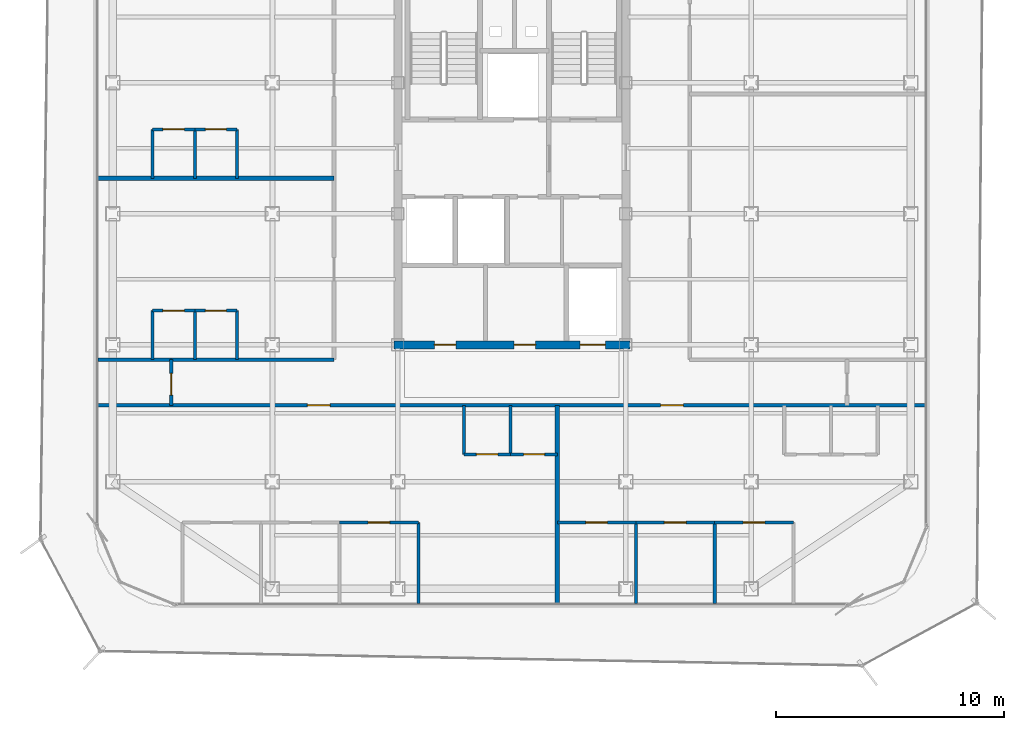
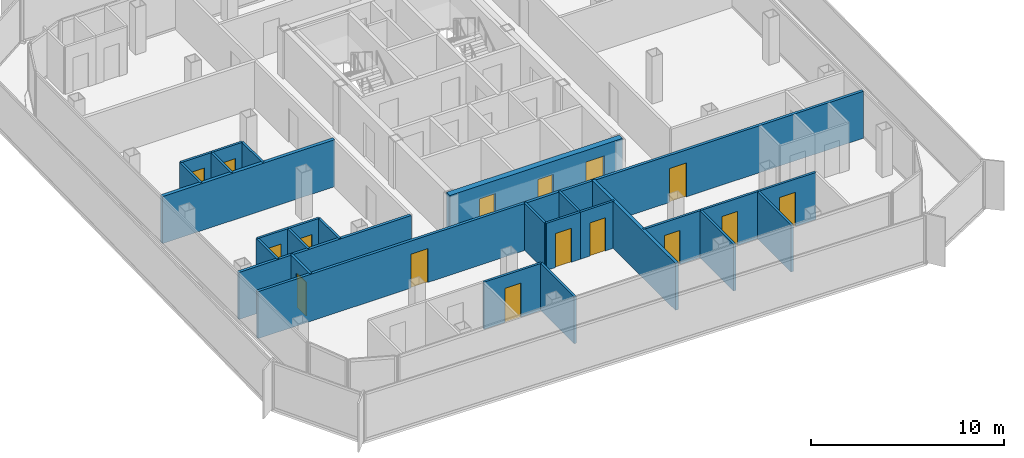
# One storey, part 10 of 15: 28 walls, 16 doors, 16 openings.
"""IFC4 building model written with IfcOpenShell, lengths in metres."""

from ifc_helpers import new_model, si_unit, direction, frame, frame_2d, origin, place, context, subcontext, project, spatial, rectangle, extrude, material, layer, layer_set, type_object, element, fill, save


model = new_model("IFC4")

# Units and contexts
model_context = context("Model", 3, precision=1e-05, world=origin(), true_north=direction((0.0, 1.0)))
body_context = subcontext(model_context, "Body", "Model", "MODEL_VIEW")
ifc_project = project(units=[si_unit("LENGTHUNIT", "METRE"), si_unit("AREAUNIT", "SQUARE_METRE"), si_unit("VOLUMEUNIT", "CUBIC_METRE"), si_unit("PLANEANGLEUNIT", "RADIAN"), si_unit("MASSUNIT", "GRAM", prefix="KILO")], contexts=[model_context])

# Site, building, storey
site_placement = place(None, origin())
site = spatial("IfcSite", under=ifc_project, at=site_placement, CompositionType="ELEMENT")
building_placement = place(site_placement, origin())
building = spatial("IfcBuilding", under=site, at=building_placement, Name="Kolveth Station Tower", CompositionType="ELEMENT")
storey_placement = place(building_placement, frame((0.0, 0.0, 261.699951171875)))
storey = spatial("IfcBuildingStorey", under=building, at=storey_placement, Name="L75", CompositionType="ELEMENT", Elevation=261.699951171875)

# Wall, openings, doors
ifc_material_1 = material(Name="Concrete C50/60", Category="concrete")
ifc_layer_1 = layer(ifc_material_1, 0.35009765625)
ifc_layer_set_1 = layer_set([ifc_layer_1], Name="Concrete C50/60")
wall_type_1 = type_object("IfcWallType", Name="Wall_CW-350", PredefinedType="SHEAR", material=ifc_layer_set_1)
wall_1_placement = place(storey_placement, frame((18.324951171875, 11.5, 0.0), z_axis=(0.0, 0.0, 1.0), x_axis=(1.0, 0.0, 0.0)))
wall_1 = element("IfcWall", 1, at=wall_1_placement, inside=storey, type_object=wall_type_1, Name="L75 Core RC Shear Wall S", PredefinedType="SHEAR", context=body_context, shape_type="SweptSolid", body=[
    extrude(rectangle(XDim=10.35009765625, YDim=0.35009765625, at=frame_2d((5.175048828125, 0.0))), origin(), (0.0, 0.0, 1.0), 2.97998046875),
])
opening_1_placement = place(wall_1_placement, frame((1.77490234375, 0.0, 0.0)))
opening_1 = element("IfcOpeningElement", 2, at=opening_1_placement, cuts=wall_1, Name="Opening ID1", PredefinedType="OPENING", context=body_context, shape_type="SweptSolid", body=[
    extrude(rectangle(XDim=0.949951171875, YDim=2.14990234375, at=frame_2d((0.47509765625, 1.074951171875))), frame((0.0, 0.18505859375, 0.0), z_axis=(0.0, -1.0, 0.0), x_axis=(1.0, 0.0, 0.0)), (0.0, 0.0, 1.0), 0.3701171875),
])
opening_2_placement = place(wall_1_placement, frame((5.27490234375, 0.0, 0.0)))
opening_2 = element("IfcOpeningElement", 3, at=opening_2_placement, cuts=wall_1, Name="Opening ID1", PredefinedType="OPENING", context=body_context, shape_type="SweptSolid", body=[
    extrude(rectangle(XDim=0.949951171875, YDim=2.14990234375, at=frame_2d((0.47509765625, 1.074951171875))), frame((0.0, 0.18505859375, 0.0), z_axis=(0.0, -1.0, 0.0), x_axis=(1.0, 0.0, 0.0)), (0.0, 0.0, 1.0), 0.3701171875),
])
opening_3_placement = place(wall_1_placement, frame((8.175048828125, 0.0, 0.0)))
opening_3 = element("IfcOpeningElement", 4, at=opening_3_placement, cuts=wall_1, Name="Opening LD1", PredefinedType="OPENING", context=body_context, shape_type="SweptSolid", body=[
    extrude(rectangle(XDim=1.10009765625, YDim=2.25, at=frame_2d((0.550048828125, 1.125))), frame((0.0, 0.18505859375, 0.0), z_axis=(0.0, -1.0, 0.0), x_axis=(1.0, 0.0, 0.0)), (0.0, 0.0, 1.0), 0.3701171875),
])
ifc_material_2 = material(Name="Acoustic hardwood leaf and aluminium frame", Category="wood")
door_type_1 = type_object("IfcDoorType", Name="Door_ID1", OperationType="NOTDEFINED", PredefinedType="DOOR", material=ifc_material_2)
door_1_placement = place(opening_1_placement, frame((0.949951171875, 0.0, 0.0), z_axis=(0.0, 0.0, 1.0), x_axis=(-1.0, 0.0, 0.0)))
door_1 = element("IfcDoor", 5, at=door_1_placement, inside=storey, type_object=door_type_1, Name="L75 Laundry Room Door", OperationType="SINGLE_SWING_RIGHT", OverallHeight=2.14990234375, OverallWidth=0.949951171875, PredefinedType="DOOR", context=body_context, shape_type="SweptSolid", body=[
    extrude(rectangle(XDim=0.949951171875, YDim=2.14990234375, at=frame_2d((0.47509765625, 1.074951171875))), frame((0.0, 0.02490234375, 0.0), z_axis=(0.0, -1.0, 0.0), x_axis=(1.0, 0.0, 0.0)), (0.0, 0.0, 1.0), 0.050048828125),
])
fill(opening_1, door_1)
door_2_placement = place(opening_2_placement, frame((0.949951171875, 0.0, 0.0), z_axis=(0.0, 0.0, 1.0), x_axis=(-1.0, 0.0, 0.0)))
door_2 = element("IfcDoor", 6, at=door_2_placement, inside=storey, type_object=door_type_1, Name="L75 Parcel Room Door", OperationType="SINGLE_SWING_LEFT", OverallHeight=2.14990234375, OverallWidth=0.949951171875, PredefinedType="DOOR", context=body_context, shape_type="SweptSolid", body=[
    extrude(rectangle(XDim=0.949951171875, YDim=2.14990234375, at=frame_2d((0.47509765625, 1.074951171875))), frame((0.0, 0.02490234375, 0.0), z_axis=(0.0, -1.0, 0.0), x_axis=(1.0, 0.0, 0.0)), (0.0, 0.0, 1.0), 0.050048828125),
])
fill(opening_2, door_2)
ifc_material_3 = material(Name="Brushed stainless steel sliding landing doors", Category="steel")
door_type_2 = type_object("IfcDoorType", Name="Door_LD1", OperationType="NOTDEFINED", PredefinedType="DOOR", material=ifc_material_3)
door_3_placement = place(opening_3_placement, frame((1.10009765625, 0.0, 0.0), z_axis=(0.0, 0.0, 1.0), x_axis=(-1.0, 0.0, 0.0)))
door_3 = element("IfcDoor", 7, at=door_3_placement, inside=storey, type_object=door_type_2, Name="L75 Lift PH1 Landing Door", OperationType="DOUBLE_DOOR_SLIDING", OverallHeight=2.25, OverallWidth=1.10009765625, PredefinedType="DOOR", context=body_context, shape_type="SweptSolid", body=[
    extrude(rectangle(XDim=1.10009765625, YDim=2.25, at=frame_2d((0.550048828125, 1.125))), frame((0.0, 0.02490234375, 0.0), z_axis=(0.0, -1.0, 0.0), x_axis=(1.0, 0.0, 0.0)), (0.0, 0.0, 1.0), 0.050048828125),
])
fill(opening_3, door_3)

# Wall, opening, door
ifc_material_4 = material(Name="Moisture-resistant gypsum partition")
ifc_layer_2 = layer(ifc_material_4, 0.135009765625)
ifc_layer_set_2 = layer_set([ifc_layer_2], Name="Moisture-resistant gypsum partition")
wall_type_2 = type_object("IfcWallType", Name="Wall_IW-135", PredefinedType="PARTITIONING", material=ifc_layer_set_2)
wall_2_placement = place(storey_placement, frame((21.39990234375, 6.699951171875, 0.0), z_axis=(0.0, 0.0, 1.0), x_axis=(1.0, 0.0, 0.0)))
wall_2 = element("IfcWall", 8, at=wall_2_placement, inside=storey, type_object=wall_type_2, Name="L75 Partition Wall WL-L75-A1-IBHK", PredefinedType="PARTITIONING", context=body_context, shape_type="SweptSolid", body=[
    extrude(rectangle(XDim=2.050048828125, YDim=0.135009765625, at=frame_2d((1.02490234375, 0.0))), origin(), (0.0, 0.0, 1.0), 2.97998046875),
])
opening_4_placement = place(wall_2_placement, frame((0.544921875, 0.0, 0.0)))
opening_4 = element("IfcOpeningElement", 9, at=opening_4_placement, cuts=wall_2, Name="Opening ID1", PredefinedType="OPENING", context=body_context, shape_type="SweptSolid", body=[
    extrude(rectangle(XDim=0.949951171875, YDim=2.14990234375, at=frame_2d((0.47509765625, 1.074951171875))), frame((0.0, 0.077392578125, 0.0), z_axis=(0.0, -1.0, 0.0), x_axis=(1.0, 0.0, 0.0)), (0.0, 0.0, 1.0), 0.155029296875),
])
door_4_placement = place(opening_4_placement, origin())
door_4 = element("IfcDoor", 10, at=door_4_placement, inside=storey, type_object=door_type_1, Name="Penthouse Flat L75-A1 Kitchen Door", OperationType="SINGLE_SWING_RIGHT", OverallHeight=2.14990234375, OverallWidth=0.949951171875, PredefinedType="DOOR", context=body_context, shape_type="SweptSolid", body=[
    extrude(rectangle(XDim=0.949951171875, YDim=2.14990234375, at=frame_2d((0.47509765625, 1.074951171875))), frame((0.0, 0.02490234375, 0.0), z_axis=(0.0, -1.0, 0.0), x_axis=(1.0, 0.0, 0.0)), (0.0, 0.0, 1.0), 0.050048828125),
])
fill(opening_4, door_4)

wall_3_placement = place(storey_placement, frame((23.449951171875, 6.699951171875, 0.0), z_axis=(0.0, 0.0, 1.0), x_axis=(1.0, 0.0, 0.0)))
wall_3 = element("IfcWall", 11, at=wall_3_placement, inside=storey, type_object=wall_type_2, Name="L75 Partition Wall WL-L75-A1-IBHB", PredefinedType="PARTITIONING", context=body_context, shape_type="SweptSolid", body=[
    extrude(rectangle(XDim=2.050048828125, YDim=0.135009765625, at=frame_2d((1.02490234375, 0.0))), origin(), (0.0, 0.0, 1.0), 2.97998046875),
])
opening_5_placement = place(wall_3_placement, frame((0.56494140625, 0.0, 0.0)))
opening_5 = element("IfcOpeningElement", 12, at=opening_5_placement, cuts=wall_3, Name="Opening ID2", PredefinedType="OPENING", context=body_context, shape_type="SweptSolid", body=[
    extrude(rectangle(XDim=0.919921875, YDim=2.10009765625, at=frame_2d((0.4599609375, 1.050048828125))), frame((0.0, 0.077392578125, 0.0), z_axis=(0.0, -1.0, 0.0), x_axis=(1.0, 0.0, 0.0)), (0.0, 0.0, 1.0), 0.155029296875),
])
ifc_material_5 = material(Name="Moisture-resistant hardwood leaf", Category="wood")
door_type_3 = type_object("IfcDoorType", Name="Door_ID2", OperationType="NOTDEFINED", PredefinedType="DOOR", material=ifc_material_5)
door_5_placement = place(opening_5_placement, origin())
door_5 = element("IfcDoor", 13, at=door_5_placement, inside=storey, type_object=door_type_3, Name="Penthouse Flat L75-A1 Bathroom Door", OperationType="SINGLE_SWING_LEFT", OverallHeight=2.10009765625, OverallWidth=0.919921875, PredefinedType="DOOR", context=body_context, shape_type="SweptSolid", body=[
    extrude(rectangle(XDim=0.919921875, YDim=2.10009765625, at=frame_2d((0.4599609375, 1.050048828125))), frame((0.0, 0.02490234375, 0.0), z_axis=(0.0, -1.0, 0.0), x_axis=(1.0, 0.0, 0.0)), (0.0, 0.0, 1.0), 0.050048828125),
])
fill(opening_5, door_5)

# Walls
for number, where, z_axis, x_axis, name in (
    (14, (21.39990234375, 6.699951171875, 0.0), (0.0, 0.0, 1.0), (0.0, 1.0, 0.0), "L75 Partition Wall WL-L75-A1-IBV0"),
    (15, (23.449951171875, 6.699951171875, 0.0), (0.0, 0.0, 1.0), (0.0, 1.0, 0.0), "L75 Partition Wall WL-L75-A1-IBV1"),
):
    element("IfcWall", number, at=place(storey_placement, frame(where, z_axis=z_axis, x_axis=x_axis)), inside=storey, type_object=wall_type_2, Name=name, PredefinedType="PARTITIONING", context=body_context, shape_type="SweptSolid", body=[
        extrude(rectangle(XDim=2.150146484375, YDim=0.135009765625, at=frame_2d((1.0751953125, 0.0))), origin(), (0.0, 0.0, 1.0), 2.97998046875),
    ])
wall_4_placement = place(storey_placement, frame((19.39990234375, 0.159912109375, 0.0), z_axis=(0.0, 0.0, 1.0), x_axis=(0.0, 1.0, 0.0)))
element("IfcWall", 16, at=wall_4_placement, inside=storey, type_object=wall_type_2, Name="L75 Partition Wall WL-L75-A1-BDVE", PredefinedType="PARTITIONING", context=body_context, shape_type="SweptSolid", body=[
    extrude(rectangle(XDim=3.550048828125, YDim=0.135009765625, at=frame_2d((1.77490234375, 0.0))), origin(), (0.0, 0.0, 1.0), 2.97998046875),
])

# Wall, opening, door
wall_5_placement = place(storey_placement, frame((15.949951171875, 3.7099609375, 0.0), z_axis=(0.0, 0.0, 1.0), x_axis=(1.0, 0.0, 0.0)))
wall_5 = element("IfcWall", 17, at=wall_5_placement, inside=storey, type_object=wall_type_2, Name="L75 Partition Wall WL-L75-A1-BDH3", PredefinedType="PARTITIONING", context=body_context, shape_type="SweptSolid", body=[
    extrude(rectangle(XDim=3.449951171875, YDim=0.135009765625, at=frame_2d((1.72509765625, 0.0))), origin(), (0.0, 0.0, 1.0), 2.97998046875),
])
opening_6_placement = place(wall_5_placement, frame((1.2451171875, 0.0, 0.0)))
opening_6 = element("IfcOpeningElement", 18, at=opening_6_placement, cuts=wall_5, Name="Opening ID1", PredefinedType="OPENING", context=body_context, shape_type="SweptSolid", body=[
    extrude(rectangle(XDim=0.949951171875, YDim=2.14990234375, at=frame_2d((0.47509765625, 1.074951171875))), frame((0.0, 0.077392578125, 0.0), z_axis=(0.0, -1.0, 0.0), x_axis=(1.0, 0.0, 0.0)), (0.0, 0.0, 1.0), 0.155029296875),
])
door_6_placement = place(opening_6_placement, frame((0.949951171875, 0.0, 0.0), z_axis=(0.0, 0.0, 1.0), x_axis=(-1.0, 0.0, 0.0)))
door_6 = element("IfcDoor", 19, at=door_6_placement, inside=storey, type_object=door_type_1, Name="Penthouse Flat L75-A1 Bedroom 3 Door", OperationType="SINGLE_SWING_LEFT", OverallHeight=2.14990234375, OverallWidth=0.949951171875, PredefinedType="DOOR", context=body_context, shape_type="SweptSolid", body=[
    extrude(rectangle(XDim=0.949951171875, YDim=2.14990234375, at=frame_2d((0.47509765625, 1.074951171875))), frame((0.0, 0.02490234375, 0.0), z_axis=(0.0, -1.0, 0.0), x_axis=(1.0, 0.0, 0.0)), (0.0, 0.0, 1.0), 0.050048828125),
])
fill(opening_6, door_6)

wall_6_placement = place(storey_placement, frame((25.5, 3.7099609375, 0.0), z_axis=(0.0, 0.0, 1.0), x_axis=(1.0, 0.0, 0.0)))
wall_6 = element("IfcWall", 20, at=wall_6_placement, inside=storey, type_object=wall_type_2, Name="L75 Partition Wall WL-L75-A2-BDH1", PredefinedType="PARTITIONING", context=body_context, shape_type="SweptSolid", body=[
    extrude(rectangle(XDim=3.449951171875, YDim=0.135009765625, at=frame_2d((1.72509765625, 0.0))), origin(), (0.0, 0.0, 1.0), 2.97998046875),
])
opening_7_placement = place(wall_6_placement, frame((1.2451171875, 0.0, 0.0)))
opening_7 = element("IfcOpeningElement", 21, at=opening_7_placement, cuts=wall_6, Name="Opening ID1", PredefinedType="OPENING", context=body_context, shape_type="SweptSolid", body=[
    extrude(rectangle(XDim=0.949951171875, YDim=2.14990234375, at=frame_2d((0.47509765625, 1.074951171875))), frame((0.0, 0.077392578125, 0.0), z_axis=(0.0, -1.0, 0.0), x_axis=(1.0, 0.0, 0.0)), (0.0, 0.0, 1.0), 0.155029296875),
])
door_7_placement = place(opening_7_placement, frame((0.949951171875, 0.0, 0.0), z_axis=(0.0, 0.0, 1.0), x_axis=(-1.0, 0.0, 0.0)))
door_7 = element("IfcDoor", 22, at=door_7_placement, inside=storey, type_object=door_type_1, Name="Penthouse Flat L75-A2 Bedroom 1 Door", OperationType="SINGLE_SWING_RIGHT", OverallHeight=2.14990234375, OverallWidth=0.949951171875, PredefinedType="DOOR", context=body_context, shape_type="SweptSolid", body=[
    extrude(rectangle(XDim=0.949951171875, YDim=2.14990234375, at=frame_2d((0.47509765625, 1.074951171875))), frame((0.0, 0.02490234375, 0.0), z_axis=(0.0, -1.0, 0.0), x_axis=(1.0, 0.0, 0.0)), (0.0, 0.0, 1.0), 0.050048828125),
])
fill(opening_7, door_7)

wall_7_placement = place(storey_placement, frame((28.949951171875, 3.7099609375, 0.0), z_axis=(0.0, 0.0, 1.0), x_axis=(1.0, 0.0, 0.0)))
wall_7 = element("IfcWall", 23, at=wall_7_placement, inside=storey, type_object=wall_type_2, Name="L75 Partition Wall WL-L75-A2-BDH2", PredefinedType="PARTITIONING", context=body_context, shape_type="SweptSolid", body=[
    extrude(rectangle(XDim=3.449951171875, YDim=0.135009765625, at=frame_2d((1.72509765625, 0.0))), origin(), (0.0, 0.0, 1.0), 2.97998046875),
])
opening_8_placement = place(wall_7_placement, frame((1.2451171875, 0.0, 0.0)))
opening_8 = element("IfcOpeningElement", 24, at=opening_8_placement, cuts=wall_7, Name="Opening ID1", PredefinedType="OPENING", context=body_context, shape_type="SweptSolid", body=[
    extrude(rectangle(XDim=0.949951171875, YDim=2.14990234375, at=frame_2d((0.47509765625, 1.074951171875))), frame((0.0, 0.077392578125, 0.0), z_axis=(0.0, -1.0, 0.0), x_axis=(1.0, 0.0, 0.0)), (0.0, 0.0, 1.0), 0.155029296875),
])
door_8_placement = place(opening_8_placement, frame((0.949951171875, 0.0, 0.0), z_axis=(0.0, 0.0, 1.0), x_axis=(-1.0, 0.0, 0.0)))
door_8 = element("IfcDoor", 25, at=door_8_placement, inside=storey, type_object=door_type_1, Name="Penthouse Flat L75-A2 Bedroom 2 Door", OperationType="SINGLE_SWING_LEFT", OverallHeight=2.14990234375, OverallWidth=0.949951171875, PredefinedType="DOOR", context=body_context, shape_type="SweptSolid", body=[
    extrude(rectangle(XDim=0.949951171875, YDim=2.14990234375, at=frame_2d((0.47509765625, 1.074951171875))), frame((0.0, 0.02490234375, 0.0), z_axis=(0.0, -1.0, 0.0), x_axis=(1.0, 0.0, 0.0)), (0.0, 0.0, 1.0), 0.050048828125),
])
fill(opening_8, door_8)

# Wall
wall_8_placement = place(storey_placement, frame((28.949951171875, 0.159912109375, 0.0), z_axis=(0.0, 0.0, 1.0), x_axis=(0.0, 1.0, 0.0)))
element("IfcWall", 26, at=wall_8_placement, inside=storey, type_object=wall_type_2, Name="L75 Partition Wall WL-L75-A2-BDV1", PredefinedType="PARTITIONING", context=body_context, shape_type="SweptSolid", body=[
    extrude(rectangle(XDim=3.550048828125, YDim=0.135009765625, at=frame_2d((1.77490234375, 0.0))), origin(), (0.0, 0.0, 1.0), 2.97998046875),
])

# Wall, opening, door
wall_9_placement = place(storey_placement, frame((32.39990234375, 3.7099609375, 0.0), z_axis=(0.0, 0.0, 1.0), x_axis=(1.0, 0.0, 0.0)))
wall_9 = element("IfcWall", 27, at=wall_9_placement, inside=storey, type_object=wall_type_2, Name="L75 Partition Wall WL-L75-A2-BDH3", PredefinedType="PARTITIONING", context=body_context, shape_type="SweptSolid", body=[
    extrude(rectangle(XDim=3.4501953125, YDim=0.135009765625, at=frame_2d((1.72509765625, 0.0))), origin(), (0.0, 0.0, 1.0), 2.97998046875),
])
opening_9_placement = place(wall_9_placement, frame((1.2451171875, 0.0, 0.0)))
opening_9 = element("IfcOpeningElement", 28, at=opening_9_placement, cuts=wall_9, Name="Opening ID1", PredefinedType="OPENING", context=body_context, shape_type="SweptSolid", body=[
    extrude(rectangle(XDim=0.949951171875, YDim=2.14990234375, at=frame_2d((0.47509765625, 1.074951171875))), frame((0.0, 0.077392578125, 0.0), z_axis=(0.0, -1.0, 0.0), x_axis=(1.0, 0.0, 0.0)), (0.0, 0.0, 1.0), 0.155029296875),
])
door_9_placement = place(opening_9_placement, frame((0.949951171875, 0.0, 0.0), z_axis=(0.0, 0.0, 1.0), x_axis=(-1.0, 0.0, 0.0)))
door_9 = element("IfcDoor", 29, at=door_9_placement, inside=storey, type_object=door_type_1, Name="Penthouse Flat L75-A2 Bedroom 3 Door", OperationType="SINGLE_SWING_RIGHT", OverallHeight=2.14990234375, OverallWidth=0.949951171875, PredefinedType="DOOR", context=body_context, shape_type="SweptSolid", body=[
    extrude(rectangle(XDim=0.949951171875, YDim=2.14990234375, at=frame_2d((0.47509765625, 1.074951171875))), frame((0.0, 0.02490234375, 0.0), z_axis=(0.0, -1.0, 0.0), x_axis=(1.0, 0.0, 0.0)), (0.0, 0.0, 1.0), 0.050048828125),
])
fill(opening_9, door_9)

# Wall
wall_10_placement = place(storey_placement, frame((32.39990234375, 0.159912109375, 0.0), z_axis=(0.0, 0.0, 1.0), x_axis=(0.0, 1.0, 0.0)))
element("IfcWall", 30, at=wall_10_placement, inside=storey, type_object=wall_type_2, Name="L75 Partition Wall WL-L75-A2-BDV2", PredefinedType="PARTITIONING", context=body_context, shape_type="SweptSolid", body=[
    extrude(rectangle(XDim=3.550048828125, YDim=0.135009765625, at=frame_2d((1.77490234375, 0.0))), origin(), (0.0, 0.0, 1.0), 2.97998046875),
])

# Wall, opening, door
wall_11_placement = place(storey_placement, frame((7.75, 13.0, 0.0), z_axis=(0.0, 0.0, 1.0), x_axis=(1.0, 0.0, 0.0)))
wall_11 = element("IfcWall", 31, at=wall_11_placement, inside=storey, type_object=wall_type_2, Name="L75 Partition Wall WL-L75-W1-IBHK", PredefinedType="PARTITIONING", context=body_context, shape_type="SweptSolid", body=[
    extrude(rectangle(XDim=1.85009765625, YDim=0.135009765625, at=frame_2d((0.925048828125, 0.0))), origin(), (0.0, 0.0, 1.0), 2.97998046875),
])
opening_10_placement = place(wall_11_placement, frame((0.445068359375, 0.0, 0.0)))
opening_10 = element("IfcOpeningElement", 32, at=opening_10_placement, cuts=wall_11, Name="Opening ID1", PredefinedType="OPENING", context=body_context, shape_type="SweptSolid", body=[
    extrude(rectangle(XDim=0.949951171875, YDim=2.14990234375, at=frame_2d((0.47509765625, 1.074951171875))), frame((0.0, 0.077392578125, 0.0), z_axis=(0.0, -1.0, 0.0), x_axis=(1.0, 0.0, 0.0)), (0.0, 0.0, 1.0), 0.155029296875),
])
door_10_placement = place(opening_10_placement, origin())
door_10 = element("IfcDoor", 33, at=door_10_placement, inside=storey, type_object=door_type_1, Name="Flat L75-W1 Kitchen Door", OperationType="SINGLE_SWING_LEFT", OverallHeight=2.14990234375, OverallWidth=0.949951171875, PredefinedType="DOOR", context=body_context, shape_type="SweptSolid", body=[
    extrude(rectangle(XDim=0.949951171875, YDim=2.14990234375, at=frame_2d((0.47509765625, 1.074951171875))), frame((0.0, 0.02490234375, 0.0), z_axis=(0.0, -1.0, 0.0), x_axis=(1.0, 0.0, 0.0)), (0.0, 0.0, 1.0), 0.050048828125),
])
fill(opening_10, door_10)

wall_12_placement = place(storey_placement, frame((9.60009765625, 13.0, 0.0), z_axis=(0.0, 0.0, 1.0), x_axis=(1.0, 0.0, 0.0)))
wall_12 = element("IfcWall", 34, at=wall_12_placement, inside=storey, type_object=wall_type_2, Name="L75 Partition Wall WL-L75-W1-IBHB", PredefinedType="PARTITIONING", context=body_context, shape_type="SweptSolid", body=[
    extrude(rectangle(XDim=1.849853515625, YDim=0.135009765625, at=frame_2d((0.9248046875, 0.0))), origin(), (0.0, 0.0, 1.0), 2.97998046875),
])
opening_11_placement = place(wall_12_placement, frame((0.465087890625, 0.0, 0.0)))
opening_11 = element("IfcOpeningElement", 35, at=opening_11_placement, cuts=wall_12, Name="Opening ID2", PredefinedType="OPENING", context=body_context, shape_type="SweptSolid", body=[
    extrude(rectangle(XDim=0.919921875, YDim=2.10009765625, at=frame_2d((0.4599609375, 1.050048828125))), frame((0.0, 0.077392578125, 0.0), z_axis=(0.0, -1.0, 0.0), x_axis=(1.0, 0.0, 0.0)), (0.0, 0.0, 1.0), 0.155029296875),
])
door_11_placement = place(opening_11_placement, origin())
door_11 = element("IfcDoor", 36, at=door_11_placement, inside=storey, type_object=door_type_3, Name="Flat L75-W1 Bathroom Door", OperationType="SINGLE_SWING_LEFT", OverallHeight=2.10009765625, OverallWidth=0.919921875, PredefinedType="DOOR", context=body_context, shape_type="SweptSolid", body=[
    extrude(rectangle(XDim=0.919921875, YDim=2.10009765625, at=frame_2d((0.4599609375, 1.050048828125))), frame((0.0, 0.02490234375, 0.0), z_axis=(0.0, -1.0, 0.0), x_axis=(1.0, 0.0, 0.0)), (0.0, 0.0, 1.0), 0.050048828125),
])
fill(opening_11, door_11)

# Walls
for number, where, z_axis, x_axis, name in (
    (37, (7.75, 10.85009765625, 0.0), (0.0, 0.0, 1.0), (0.0, 1.0, 0.0), "L75 Partition Wall WL-L75-W1-IBV0"),
    (38, (9.60009765625, 10.85009765625, 0.0), (0.0, 0.0, 1.0), (0.0, 1.0, 0.0), "L75 Partition Wall WL-L75-W1-IBV1"),
    (39, (11.449951171875, 10.85009765625, 0.0), (0.0, 0.0, 1.0), (0.0, 1.0, 0.0), "L75 Partition Wall WL-L75-W1-IBV2"),
):
    element("IfcWall", number, at=place(storey_placement, frame(where, z_axis=z_axis, x_axis=x_axis)), inside=storey, type_object=wall_type_2, Name=name, PredefinedType="PARTITIONING", context=body_context, shape_type="SweptSolid", body=[
        extrude(rectangle(XDim=2.14990234375, YDim=0.135009765625, at=frame_2d((1.074951171875, 0.0))), origin(), (0.0, 0.0, 1.0), 2.97998046875),
    ])

# Wall, opening, door
wall_13_placement = place(storey_placement, frame((7.75, 20.949951171875, 0.0), z_axis=(0.0, 0.0, 1.0), x_axis=(1.0, 0.0, 0.0)))
wall_13 = element("IfcWall", 40, at=wall_13_placement, inside=storey, type_object=wall_type_2, Name="L75 Partition Wall WL-L75-W2-IBHK", PredefinedType="PARTITIONING", context=body_context, shape_type="SweptSolid", body=[
    extrude(rectangle(XDim=1.85009765625, YDim=0.135009765625, at=frame_2d((0.925048828125, 0.0))), origin(), (0.0, 0.0, 1.0), 2.97998046875),
])
opening_12_placement = place(wall_13_placement, frame((0.445068359375, 0.0, 0.0)))
opening_12 = element("IfcOpeningElement", 41, at=opening_12_placement, cuts=wall_13, Name="Opening ID1", PredefinedType="OPENING", context=body_context, shape_type="SweptSolid", body=[
    extrude(rectangle(XDim=0.949951171875, YDim=2.14990234375, at=frame_2d((0.47509765625, 1.074951171875))), frame((0.0, 0.077392578125, 0.0), z_axis=(0.0, -1.0, 0.0), x_axis=(1.0, 0.0, 0.0)), (0.0, 0.0, 1.0), 0.155029296875),
])
door_12_placement = place(opening_12_placement, origin())
door_12 = element("IfcDoor", 42, at=door_12_placement, inside=storey, type_object=door_type_1, Name="Flat L75-W2 Kitchen Door", OperationType="SINGLE_SWING_LEFT", OverallHeight=2.14990234375, OverallWidth=0.949951171875, PredefinedType="DOOR", context=body_context, shape_type="SweptSolid", body=[
    extrude(rectangle(XDim=0.949951171875, YDim=2.14990234375, at=frame_2d((0.47509765625, 1.074951171875))), frame((0.0, 0.02490234375, 0.0), z_axis=(0.0, -1.0, 0.0), x_axis=(1.0, 0.0, 0.0)), (0.0, 0.0, 1.0), 0.050048828125),
])
fill(opening_12, door_12)

wall_14_placement = place(storey_placement, frame((9.60009765625, 20.949951171875, 0.0), z_axis=(0.0, 0.0, 1.0), x_axis=(1.0, 0.0, 0.0)))
wall_14 = element("IfcWall", 43, at=wall_14_placement, inside=storey, type_object=wall_type_2, Name="L75 Partition Wall WL-L75-W2-IBHB", PredefinedType="PARTITIONING", context=body_context, shape_type="SweptSolid", body=[
    extrude(rectangle(XDim=1.849853515625, YDim=0.135009765625, at=frame_2d((0.9248046875, 0.0))), origin(), (0.0, 0.0, 1.0), 2.97998046875),
])
opening_13_placement = place(wall_14_placement, frame((0.465087890625, 0.0, 0.0)))
opening_13 = element("IfcOpeningElement", 44, at=opening_13_placement, cuts=wall_14, Name="Opening ID2", PredefinedType="OPENING", context=body_context, shape_type="SweptSolid", body=[
    extrude(rectangle(XDim=0.919921875, YDim=2.10009765625, at=frame_2d((0.4599609375, 1.050048828125))), frame((0.0, 0.077392578125, 0.0), z_axis=(0.0, -1.0, 0.0), x_axis=(1.0, 0.0, 0.0)), (0.0, 0.0, 1.0), 0.155029296875),
])
door_13_placement = place(opening_13_placement, origin())
door_13 = element("IfcDoor", 45, at=door_13_placement, inside=storey, type_object=door_type_3, Name="Flat L75-W2 Bathroom Door", OperationType="SINGLE_SWING_RIGHT", OverallHeight=2.10009765625, OverallWidth=0.919921875, PredefinedType="DOOR", context=body_context, shape_type="SweptSolid", body=[
    extrude(rectangle(XDim=0.919921875, YDim=2.10009765625, at=frame_2d((0.4599609375, 1.050048828125))), frame((0.0, 0.02490234375, 0.0), z_axis=(0.0, -1.0, 0.0), x_axis=(1.0, 0.0, 0.0)), (0.0, 0.0, 1.0), 0.050048828125),
])
fill(opening_13, door_13)

# Walls
for number, where, z_axis, x_axis, name in (
    (46, (7.75, 18.800048828125, 0.0), (0.0, 0.0, 1.0), (0.0, 1.0, 0.0), "L75 Partition Wall WL-L75-W2-IBV0"),
    (47, (9.60009765625, 18.800048828125, 0.0), (0.0, 0.0, 1.0), (0.0, 1.0, 0.0), "L75 Partition Wall WL-L75-W2-IBV1"),
    (48, (11.449951171875, 18.800048828125, 0.0), (0.0, 0.0, 1.0), (0.0, 1.0, 0.0), "L75 Partition Wall WL-L75-W2-IBV2"),
):
    element("IfcWall", number, at=place(storey_placement, frame(where, z_axis=z_axis, x_axis=x_axis)), inside=storey, type_object=wall_type_2, Name=name, PredefinedType="PARTITIONING", context=body_context, shape_type="SweptSolid", body=[
        extrude(rectangle(XDim=2.14990234375, YDim=0.135009765625, at=frame_2d((1.074951171875, 0.0))), origin(), (0.0, 0.0, 1.0), 2.97998046875),
    ])

# Wall, openings, doors
ifc_material_6 = material(Name="Acoustic double-stud gypsum partition")
ifc_layer_3 = layer(ifc_material_6, 0.1650390625)
ifc_layer_set_3 = layer_set([ifc_layer_3], Name="Acoustic double-stud gypsum partition")
wall_type_3 = type_object("IfcWallType", Name="Wall_IW-165", PredefinedType="PARTITIONING", material=ifc_layer_set_3)
wall_15_placement = place(storey_placement, frame((5.360107421875, 8.85009765625, 0.0), z_axis=(0.0, 0.0, 1.0), x_axis=(1.0, 0.0, 0.0)))
wall_15 = element("IfcWall", 49, at=wall_15_placement, inside=storey, type_object=wall_type_3, Name="L75 Partition Wall WL-L75-RS", PredefinedType="PARTITIONING", context=body_context, shape_type="SweptSolid", body=[
    extrude(rectangle(XDim=36.27978515625, YDim=0.1650390625, at=frame_2d((18.139892578125, 0.0))), origin(), (0.0, 0.0, 1.0), 2.97998046875),
])
opening_14_placement = place(wall_15_placement, frame((9.169921875, 0.0, 0.0)))
opening_14 = element("IfcOpeningElement", 50, at=opening_14_placement, cuts=wall_15, Name="Opening FD3", PredefinedType="OPENING", context=body_context, shape_type="SweptSolid", body=[
    extrude(rectangle(XDim=1.0, YDim=2.14990234375, at=frame_2d((0.5, 1.074951171875))), frame((0.0, 0.092529296875, 0.0), z_axis=(0.0, -1.0, 0.0), x_axis=(1.0, 0.0, 0.0)), (0.0, 0.0, 1.0), 0.18505859375),
])
opening_15_placement = place(wall_15_placement, frame((24.6650390625, 0.0, 0.0)))
opening_15 = element("IfcOpeningElement", 51, at=opening_15_placement, cuts=wall_15, Name="Opening FD3", PredefinedType="OPENING", context=body_context, shape_type="SweptSolid", body=[
    extrude(rectangle(XDim=1.0, YDim=2.14990234375, at=frame_2d((0.5, 1.074951171875))), frame((0.0, 0.092529296875, 0.0), z_axis=(0.0, -1.0, 0.0), x_axis=(1.0, 0.0, 0.0)), (0.0, 0.0, 1.0), 0.18505859375),
])
ifc_material_7 = material(Name="Fire-rated hardwood leaf and aluminium frame", Category="wood")
door_type_4 = type_object("IfcDoorType", Name="Door_FD3", OperationType="NOTDEFINED", PredefinedType="DOOR", material=ifc_material_7)
door_14_placement = place(opening_14_placement, frame((1.0, 0.0, 0.0), z_axis=(0.0, 0.0, 1.0), x_axis=(-1.0, 0.0, 0.0)))
door_14 = element("IfcDoor", 52, at=door_14_placement, inside=storey, type_object=door_type_4, Name="Penthouse Flat L75-A1 Entrance Door", OperationType="SINGLE_SWING_LEFT", OverallHeight=2.14990234375, OverallWidth=1.0, PredefinedType="DOOR", context=body_context, shape_type="SweptSolid", body=[
    extrude(rectangle(XDim=1.0, YDim=2.14990234375, at=frame_2d((0.5, 1.074951171875))), frame((0.0, 0.02490234375, 0.0), z_axis=(0.0, -1.0, 0.0), x_axis=(1.0, 0.0, 0.0)), (0.0, 0.0, 1.0), 0.050048828125),
])
fill(opening_14, door_14)
door_15_placement = place(opening_15_placement, frame((1.0, 0.0, 0.0), z_axis=(0.0, 0.0, 1.0), x_axis=(-1.0, 0.0, 0.0)))
door_15 = element("IfcDoor", 53, at=door_15_placement, inside=storey, type_object=door_type_4, Name="Penthouse Flat L75-A2 Entrance Door", OperationType="SINGLE_SWING_LEFT", OverallHeight=2.14990234375, OverallWidth=1.0, PredefinedType="DOOR", context=body_context, shape_type="SweptSolid", body=[
    extrude(rectangle(XDim=1.0, YDim=2.14990234375, at=frame_2d((0.5, 1.074951171875))), frame((0.0, 0.02490234375, 0.0), z_axis=(0.0, -1.0, 0.0), x_axis=(1.0, 0.0, 0.0)), (0.0, 0.0, 1.0), 0.050048828125),
])
fill(opening_15, door_15)

# Wall
wall_16_placement = place(storey_placement, frame((8.56005859375, 10.85009765625, 0.0), z_axis=(0.0, 0.0, 1.0), x_axis=(1.0, 0.0, 0.0)))
element("IfcWall", 54, at=wall_16_placement, inside=storey, type_object=wall_type_3, Name="L75 Partition Wall WL-L75-RSWT", PredefinedType="PARTITIONING", context=body_context, shape_type="SweptSolid", body=[
    extrude(rectangle(XDim=7.139892578125, YDim=0.1650390625, at=frame_2d((3.56982421875, 0.0))), origin(), (0.0, 0.0, 1.0), 2.97998046875),
])

# Wall, opening, door
wall_17_placement = place(storey_placement, frame((8.56005859375, 8.85009765625, 0.0), z_axis=(0.0, 0.0, 1.0), x_axis=(0.0, 1.0, 0.0)))
wall_17 = element("IfcWall", 55, at=wall_17_placement, inside=storey, type_object=wall_type_3, Name="L75 Partition Wall WL-L75-RSWE", PredefinedType="PARTITIONING", context=body_context, shape_type="SweptSolid", body=[
    extrude(rectangle(XDim=2.0, YDim=0.1650390625, at=frame_2d((1.0, 0.0))), origin(), (0.0, 0.0, 1.0), 2.97998046875),
])
opening_16_placement = place(wall_17_placement, frame((0.449951171875, 0.0, 0.0)))
opening_16 = element("IfcOpeningElement", 56, at=opening_16_placement, cuts=wall_17, Name="Opening ID1", PredefinedType="OPENING", context=body_context, shape_type="SweptSolid", body=[
    extrude(rectangle(XDim=0.949951171875, YDim=2.14990234375, at=frame_2d((0.47509765625, 1.074951171875))), frame((0.0, 0.092529296875, 0.0), z_axis=(0.0, -1.0, 0.0), x_axis=(1.0, 0.0, 0.0)), (0.0, 0.0, 1.0), 0.18505859375),
])
door_16_placement = place(opening_16_placement, frame((0.949951171875, 0.0, 0.0), z_axis=(0.0, 0.0, 1.0), x_axis=(-1.0, 0.0, 0.0)))
door_16 = element("IfcDoor", 57, at=door_16_placement, inside=storey, type_object=door_type_1, Name="L75 West Store Door", OperationType="SINGLE_SWING_RIGHT", OverallHeight=2.14990234375, OverallWidth=0.949951171875, PredefinedType="DOOR", context=body_context, shape_type="SweptSolid", body=[
    extrude(rectangle(XDim=0.949951171875, YDim=2.14990234375, at=frame_2d((0.47509765625, 1.074951171875))), frame((0.0, 0.02490234375, 0.0), z_axis=(0.0, -1.0, 0.0), x_axis=(1.0, 0.0, 0.0)), (0.0, 0.0, 1.0), 0.050048828125),
])
fill(opening_16, door_16)

# Walls
wall_18_placement = place(storey_placement, frame((5.360107421875, 10.85009765625, 0.0), z_axis=(0.0, 0.0, 1.0), x_axis=(1.0, 0.0, 0.0)))
element("IfcWall", 58, at=wall_18_placement, inside=storey, type_object=wall_type_3, Name="L75 Partition Wall WL-L75-WSTN", PredefinedType="PARTITIONING", context=body_context, shape_type="SweptSolid", body=[
    extrude(rectangle(XDim=3.199951171875, YDim=0.1650390625, at=frame_2d((1.60009765625, 0.0))), origin(), (0.0, 0.0, 1.0), 2.97998046875),
])
ifc_material_8 = material(Name="Acoustic fire-rated gypsum blockwork", Category="masonry")
ifc_layer_4 = layer(ifc_material_8, 0.199951171875)
ifc_layer_set_4 = layer_set([ifc_layer_4], Name="Acoustic fire-rated gypsum blockwork")
wall_type_4 = type_object("IfcWallType", Name="Wall_IW-200", PredefinedType="PARTITIONING", material=ifc_layer_set_4)
wall_19_placement = place(storey_placement, frame((25.5, 0.159912109375, 0.0), z_axis=(0.0, 0.0, 1.0), x_axis=(0.0, 1.0, 0.0)))
element("IfcWall", 59, at=wall_19_placement, inside=storey, type_object=wall_type_4, Name="L75 Partition Wall WL-L75-RSU-1", PredefinedType="PARTITIONING", context=body_context, shape_type="SweptSolid", body=[
    extrude(rectangle(XDim=8.690185546875, YDim=0.199951171875, at=frame_2d((4.34521484375, 0.0))), origin(), (0.0, 0.0, 1.0), 2.97998046875),
])
wall_20_placement = place(storey_placement, frame((5.360107421875, 18.800048828125, 0.0), z_axis=(0.0, 0.0, 1.0), x_axis=(1.0, 0.0, 0.0)))
element("IfcWall", 60, at=wall_20_placement, inside=storey, type_object=wall_type_4, Name="L75 Partition Wall WL-L75-RWU-1", PredefinedType="PARTITIONING", context=body_context, shape_type="SweptSolid", body=[
    extrude(rectangle(XDim=10.33984375, YDim=0.199951171875, at=frame_2d((5.169921875, 0.0))), origin(), (0.0, 0.0, 1.0), 2.97998046875),
])

save(model, "model.ifc")
